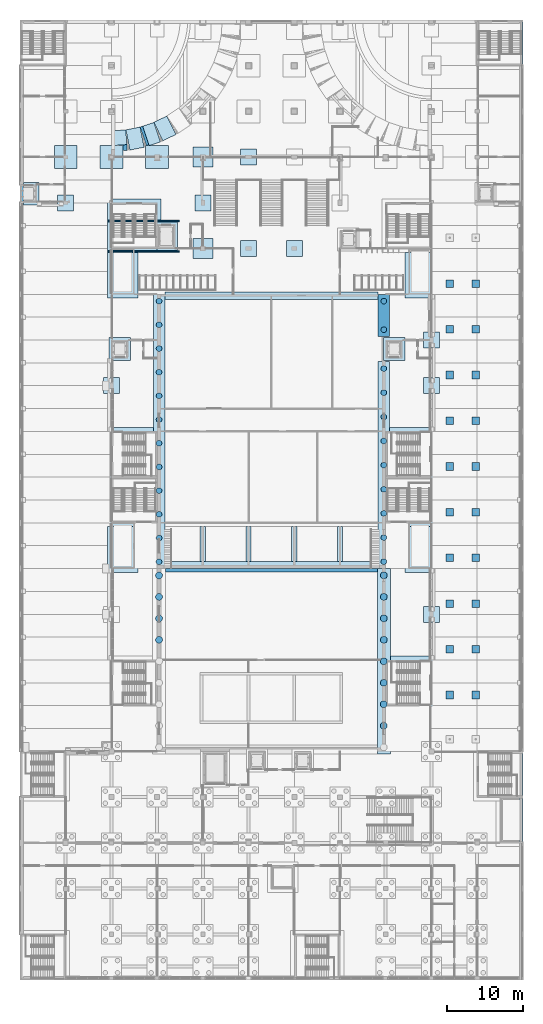
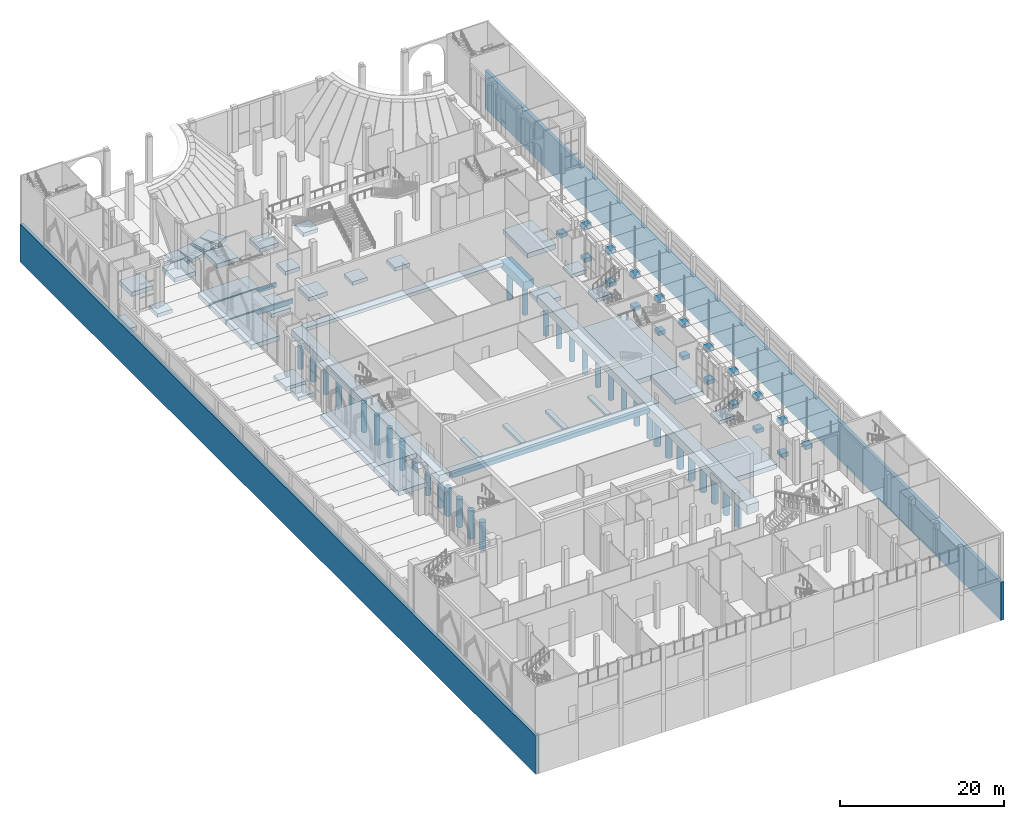
# One storey, part 4 of 95: 68 footings, 35 piles.
"""IFC4 building model written with IfcOpenShell, lengths in metres."""

from ifc_helpers import new_model, si_unit, direction, frame, origin, origin_2d, place, context, subcontext, project, spatial, polyline, rectangle, circle, outline, extrude, material, material_profile, profile_set, type_object, element, save


model = new_model("IFC4")

# Units and contexts
model_context = context("Model", 3, precision=1e-05, world=origin(), true_north=direction((0.0, 1.0)))
body_context = subcontext(model_context, "Body", "Model", "MODEL_VIEW")
ifc_project = project(units=[si_unit("LENGTHUNIT", "METRE"), si_unit("AREAUNIT", "SQUARE_METRE"), si_unit("VOLUMEUNIT", "CUBIC_METRE"), si_unit("PLANEANGLEUNIT", "RADIAN"), si_unit("MASSUNIT", "GRAM", prefix="KILO")], contexts=[model_context])

# Site, building, storey
site_placement = place(None, origin())
site = spatial("IfcSite", under=ifc_project, at=site_placement, CompositionType="ELEMENT")
building_placement = place(site_placement, origin())
building = spatial("IfcBuilding", under=site, at=building_placement, Name="Saffron Lane Theatres", CompositionType="ELEMENT")
storey_placement = place(building_placement, origin())
storey = spatial("IfcBuildingStorey", under=building, at=storey_placement, Name="L00", CompositionType="ELEMENT", Elevation=0.0)

# Footings
ifc_material_1 = material(Name="Concrete N40 (40 MPa)", Category="concrete")
footing_type_1 = type_object("IfcFootingType", Name="FT-CAP STRIP 1500x1200", PredefinedType="PILE_CAP", material=ifc_material_1)
footing_1_placement = place(storey_placement, frame((0.0, 0.0, -1.5)))
element("IfcFooting", 1, at=footing_1_placement, inside=storey, type_object=footing_type_1, Name="foot-cap-aud-W", PredefinedType="PILE_CAP", context=body_context, shape_type="SweptSolid", body=[
    extrude(outline(polyline([(17.5, 54.0), (19.0, 54.0), (19.0, 90.0), (17.5, 90.0), (17.5, 54.0)])), origin(), (0.0, 0.0, 1.0), 1.199951171875),
])
footing_2_placement = place(storey_placement, frame((0.0, 0.0, -1.5)))
element("IfcFooting", 2, at=footing_2_placement, inside=storey, type_object=footing_type_1, Name="foot-cap-aud-E-1", PredefinedType="PILE_CAP", context=body_context, shape_type="SweptSolid", body=[
    extrude(outline(polyline([(47.0, 54.0), (48.5, 54.0), (48.5, 81.14990234375), (47.0, 81.14990234375), (47.0, 54.0)])), origin(), (0.0, 0.0, 1.0), 1.199951171875),
])
footing_3_placement = place(storey_placement, frame((0.0, 0.0, -1.5)))
element("IfcFooting", 3, at=footing_3_placement, inside=storey, type_object=footing_type_1, Name="foot-cap-aud-E-2", PredefinedType="PILE_CAP", context=body_context, shape_type="SweptSolid", body=[
    extrude(outline(polyline([(47.0, 84.449951171875), (48.5, 84.449951171875), (48.5, 90.0), (47.0, 90.0), (47.0, 84.449951171875)])), origin(), (0.0, 0.0, 1.0), 1.199951171875),
])
ifc_material_2 = material(Name="Concrete N40 (40 MPa)", Category="concrete")
footing_type_2 = type_object("IfcFootingType", Name="FT-CAP STRIP 1700x1400", PredefinedType="PILE_CAP", material=ifc_material_2)
footing_4_placement = place(storey_placement, frame((0.0, 0.0, -1.699951171875)))
element("IfcFooting", 4, at=footing_4_placement, inside=storey, type_object=footing_type_2, Name="foot-cap-stage-E", PredefinedType="PILE_CAP", context=body_context, shape_type="SweptSolid", body=[
    extrude(outline(polyline([(46.89990234375, 29.64990234375), (48.60009765625, 29.64990234375), (48.60009765625, 54.0), (46.89990234375, 54.0), (46.89990234375, 29.64990234375)])), origin(), (0.0, 0.0, 1.0), 1.39990234375),
])
ifc_material_3 = material(Name="Concrete N40 (40 MPa)", Category="concrete")
footing_type_3 = type_object("IfcFootingType", Name="FT-PAD 2100x2100x550", PredefinedType="PAD_FOOTING", material=ifc_material_3)
footing_5_placement = place(storey_placement, frame((0.0, 0.0, -0.85009765625)))
element("IfcFooting", 5, at=footing_5_placement, inside=storey, type_object=footing_type_3, Name="foot-pad-K9", PredefinedType="PAD_FOOTING", context=body_context, shape_type="SweptSolid", body=[
    extrude(outline(polyline([(52.949951171875, 46.949951171875), (55.050048828125, 46.949951171875), (55.050048828125, 49.050048828125), (52.949951171875, 49.050048828125), (52.949951171875, 46.949951171875)])), origin(), (0.0, 0.0, 1.0), 0.550048828125),
])
footing_6_placement = place(storey_placement, frame((0.0, 0.0, -0.85009765625)))
element("IfcFooting", 6, at=footing_6_placement, inside=storey, type_object=footing_type_3, Name="foot-pad-C14", PredefinedType="PAD_FOOTING", context=body_context, shape_type="SweptSolid", body=[
    extrude(outline(polyline([(10.949951171875, 76.949951171875), (13.050048828125, 76.949951171875), (13.050048828125, 79.050048828125), (10.949951171875, 79.050048828125), (10.949951171875, 76.949951171875)])), origin(), (0.0, 0.0, 1.0), 0.550048828125),
])
footing_7_placement = place(storey_placement, frame((0.0, 0.0, -0.85009765625)))
element("IfcFooting", 7, at=footing_7_placement, inside=storey, type_object=footing_type_3, Name="foot-pad-K14", PredefinedType="PAD_FOOTING", context=body_context, shape_type="SweptSolid", body=[
    extrude(outline(polyline([(52.949951171875, 76.949951171875), (55.050048828125, 76.949951171875), (55.050048828125, 79.050048828125), (52.949951171875, 79.050048828125), (52.949951171875, 76.949951171875)])), origin(), (0.0, 0.0, 1.0), 0.550048828125),
])
footing_8_placement = place(storey_placement, frame((0.0, 0.0, -0.85009765625)))
element("IfcFooting", 8, at=footing_8_placement, inside=storey, type_object=footing_type_3, Name="foot-pad-K15", PredefinedType="PAD_FOOTING", context=body_context, shape_type="SweptSolid", body=[
    extrude(outline(polyline([(52.949951171875, 82.949951171875), (55.050048828125, 82.949951171875), (55.050048828125, 85.050048828125), (52.949951171875, 85.050048828125), (52.949951171875, 82.949951171875)])), origin(), (0.0, 0.0, 1.0), 0.550048828125),
])
footing_9_placement = place(storey_placement, frame((0.0, 0.0, -0.85009765625)))
element("IfcFooting", 9, at=footing_9_placement, inside=storey, type_object=footing_type_3, Name="foot-pad-F17", PredefinedType="PAD_FOOTING", context=body_context, shape_type="SweptSolid", body=[
    extrude(outline(polyline([(28.949951171875, 94.949951171875), (31.050048828125, 94.949951171875), (31.050048828125, 97.050048828125), (28.949951171875, 97.050048828125), (28.949951171875, 94.949951171875)])), origin(), (0.0, 0.0, 1.0), 0.550048828125),
])
footing_10_placement = place(storey_placement, frame((0.0, 0.0, -0.85009765625)))
element("IfcFooting", 10, at=footing_10_placement, inside=storey, type_object=footing_type_3, Name="foot-pad-G17", PredefinedType="PAD_FOOTING", context=body_context, shape_type="SweptSolid", body=[
    extrude(outline(polyline([(34.949951171875, 94.949951171875), (37.050048828125, 94.949951171875), (37.050048828125, 97.050048828125), (34.949951171875, 97.050048828125), (34.949951171875, 94.949951171875)])), origin(), (0.0, 0.0, 1.0), 0.550048828125),
])
footing_11_placement = place(storey_placement, frame((0.0, 0.0, -0.85009765625)))
element("IfcFooting", 11, at=footing_11_placement, inside=storey, type_object=footing_type_3, Name="foot-pad-B18", PredefinedType="PAD_FOOTING", context=body_context, shape_type="SweptSolid", body=[
    extrude(outline(polyline([(4.949951171875, 100.949951171875), (7.050048828125, 100.949951171875), (7.050048828125, 103.050048828125), (4.949951171875, 103.050048828125), (4.949951171875, 100.949951171875)])), origin(), (0.0, 0.0, 1.0), 0.550048828125),
])
footing_12_placement = place(storey_placement, frame((0.0, 0.0, -0.85009765625)))
element("IfcFooting", 12, at=footing_12_placement, inside=storey, type_object=footing_type_3, Name="foot-pad-E18", PredefinedType="PAD_FOOTING", context=body_context, shape_type="SweptSolid", body=[
    extrude(outline(polyline([(22.949951171875, 100.949951171875), (25.050048828125, 100.949951171875), (25.050048828125, 103.050048828125), (22.949951171875, 103.050048828125), (22.949951171875, 100.949951171875)])), origin(), (0.0, 0.0, 1.0), 0.550048828125),
])
footing_13_placement = place(storey_placement, frame((0.0, 0.0, -0.85009765625)))
element("IfcFooting", 13, at=footing_13_placement, inside=storey, type_object=footing_type_3, Name="foot-pad-F19", PredefinedType="PAD_FOOTING", context=body_context, shape_type="SweptSolid", body=[
    extrude(outline(polyline([(28.949951171875, 106.949951171875), (31.050048828125, 106.949951171875), (31.050048828125, 109.050048828125), (28.949951171875, 109.050048828125), (28.949951171875, 106.949951171875)])), origin(), (0.0, 0.0, 1.0), 0.550048828125),
])
ifc_material_4 = material(Name="Concrete N40 (40 MPa)", Category="concrete")
footing_type_4 = type_object("IfcFootingType", Name="FT-PAD 2600x2600x600", PredefinedType="PAD_FOOTING", material=ifc_material_4)
footing_14_placement = place(storey_placement, frame((0.0, 0.0, -0.89990234375)))
element("IfcFooting", 14, at=footing_14_placement, inside=storey, type_object=footing_type_4, Name="foot-pad-E17", PredefinedType="PAD_FOOTING", context=body_context, shape_type="SweptSolid", body=[
    extrude(outline(polyline([(22.699951171875, 94.699951171875), (25.300048828125, 94.699951171875), (25.300048828125, 97.300048828125), (22.699951171875, 97.300048828125), (22.699951171875, 94.699951171875)])), origin(), (0.0, 0.0, 1.0), 0.599853515625),
])
footing_15_placement = place(storey_placement, frame((0.0, 0.0, -0.89990234375)))
element("IfcFooting", 15, at=footing_15_placement, inside=storey, type_object=footing_type_4, Name="foot-pad-E19", PredefinedType="PAD_FOOTING", context=body_context, shape_type="SweptSolid", body=[
    extrude(outline(polyline([(22.699951171875, 106.699951171875), (25.300048828125, 106.699951171875), (25.300048828125, 109.300048828125), (22.699951171875, 109.300048828125), (22.699951171875, 106.699951171875)])), origin(), (0.0, 0.0, 1.0), 0.599853515625),
])
ifc_material_5 = material(Name="Concrete N40 (40 MPa)", Category="concrete")
footing_type_5 = type_object("IfcFootingType", Name="FT-PAD 3000x3000x650", PredefinedType="PAD_FOOTING", material=ifc_material_5)
footing_16_placement = place(storey_placement, frame((0.0, 0.0, -0.949951171875)))
element("IfcFooting", 16, at=footing_16_placement, inside=storey, type_object=footing_type_5, Name="foot-pad-B19", PredefinedType="PAD_FOOTING", context=body_context, shape_type="SweptSolid", body=[
    extrude(outline(polyline([(4.5, 106.5), (7.5, 106.5), (7.5, 109.5), (4.5, 109.5), (4.5, 106.5)])), origin(), (0.0, 0.0, 1.0), 0.64990234375),
])
footing_17_placement = place(storey_placement, frame((0.0, 0.0, -0.949951171875)))
element("IfcFooting", 17, at=footing_17_placement, inside=storey, type_object=footing_type_5, Name="foot-pad-C19", PredefinedType="PAD_FOOTING", context=body_context, shape_type="SweptSolid", body=[
    extrude(outline(polyline([(10.5, 106.5), (13.5, 106.5), (13.5, 109.5), (10.5, 109.5), (10.5, 106.5)])), origin(), (0.0, 0.0, 1.0), 0.64990234375),
])
footing_18_placement = place(storey_placement, frame((0.0, 0.0, -0.949951171875)))
element("IfcFooting", 18, at=footing_18_placement, inside=storey, type_object=footing_type_5, Name="foot-pad-D19", PredefinedType="PAD_FOOTING", context=body_context, shape_type="SweptSolid", body=[
    extrude(outline(polyline([(16.5, 106.5), (19.5, 106.5), (19.5, 109.5), (16.5, 109.5), (16.5, 106.5)])), origin(), (0.0, 0.0, 1.0), 0.64990234375),
])

# Piles
ifc_material_6 = material(Name="Concrete N40 (40 MPa)", Category="concrete")
ifc_material_profile_1 = material_profile(ifc_material_6, circle(Radius=0.375, at=origin_2d()))
ifc_profile_set_1 = profile_set([ifc_material_profile_1], Name="Concrete N40 (40 MPa)")
pile_type_1 = type_object("IfcPileType", Name="FT-PILE BORED 750", PredefinedType="BORED", material=ifc_profile_set_1)
for number, where, z_axis, x_axis, name in (
    (19, (18.25, 54.89990234375, -1.39990234375), (0.0, 0.0, -1.0), (1.0, 0.0, 0.0), "pile-foot-cap-aud-W-1"),
    (20, (18.25, 58.009033203125, -1.39990234375), (0.0, 0.0, -1.0), (1.0, 0.0, 0.0), "pile-foot-cap-aud-W-2"),
    (21, (18.25, 61.1181640625, -1.39990234375), (0.0, 0.0, -1.0), (1.0, 0.0, 0.0), "pile-foot-cap-aud-W-3"),
    (22, (18.25, 64.227294921875, -1.39990234375), (0.0, 0.0, -1.0), (1.0, 0.0, 0.0), "pile-foot-cap-aud-W-4"),
    (23, (18.25, 67.33642578125, -1.39990234375), (0.0, 0.0, -1.0), (1.0, 0.0, 0.0), "pile-foot-cap-aud-W-5"),
    (24, (18.25, 70.445556640625, -1.39990234375), (0.0, 0.0, -1.0), (1.0, 0.0, 0.0), "pile-foot-cap-aud-W-6"),
    (25, (18.25, 73.554443359375, -1.39990234375), (0.0, 0.0, -1.0), (1.0, 0.0, 0.0), "pile-foot-cap-aud-W-7"),
    (26, (18.25, 76.66357421875, -1.39990234375), (0.0, 0.0, -1.0), (1.0, 0.0, 0.0), "pile-foot-cap-aud-W-8"),
    (27, (18.25, 79.772705078125, -1.39990234375), (0.0, 0.0, -1.0), (1.0, 0.0, 0.0), "pile-foot-cap-aud-W-9"),
    (28, (18.25, 82.8818359375, -1.39990234375), (0.0, 0.0, -1.0), (1.0, 0.0, 0.0), "pile-foot-cap-aud-W-10"),
    (29, (18.25, 85.990966796875, -1.39990234375), (0.0, 0.0, -1.0), (1.0, 0.0, 0.0), "pile-foot-cap-aud-W-11"),
    (30, (18.25, 89.10009765625, -1.39990234375), (0.0, 0.0, -1.0), (1.0, 0.0, 0.0), "pile-foot-cap-aud-W-12"),
    (31, (47.75, 54.89990234375, -1.39990234375), (0.0, 0.0, -1.0), (1.0, 0.0, 0.0), "pile-foot-cap-aud-E-1-1"),
    (32, (47.75, 58.068603515625, -1.39990234375), (0.0, 0.0, -1.0), (1.0, 0.0, 0.0), "pile-foot-cap-aud-E-1-2"),
    (33, (47.75, 61.237548828125, -1.39990234375), (0.0, 0.0, -1.0), (1.0, 0.0, 0.0), "pile-foot-cap-aud-E-1-3"),
    (34, (47.75, 64.40625, -1.39990234375), (0.0, 0.0, -1.0), (1.0, 0.0, 0.0), "pile-foot-cap-aud-E-1-4"),
    (35, (47.75, 67.574951171875, -1.39990234375), (0.0, 0.0, -1.0), (1.0, 0.0, 0.0), "pile-foot-cap-aud-E-1-5"),
    (36, (47.75, 70.74365234375, -1.39990234375), (0.0, 0.0, -1.0), (1.0, 0.0, 0.0), "pile-foot-cap-aud-E-1-6"),
    (37, (47.75, 73.91259765625, -1.39990234375), (0.0, 0.0, -1.0), (1.0, 0.0, 0.0), "pile-foot-cap-aud-E-1-7"),
    (38, (47.75, 77.081298828125, -1.39990234375), (0.0, 0.0, -1.0), (1.0, 0.0, 0.0), "pile-foot-cap-aud-E-1-8"),
    (39, (47.75, 80.25, -1.39990234375), (0.0, 0.0, -1.0), (1.0, 0.0, 0.0), "pile-foot-cap-aud-E-1-9"),
    (40, (47.75, 85.35009765625, -1.39990234375), (0.0, 0.0, -1.0), (1.0, 0.0, 0.0), "pile-foot-cap-aud-E-2-1"),
    (41, (47.75, 89.10009765625, -1.39990234375), (0.0, 0.0, -1.0), (1.0, 0.0, 0.0), "pile-foot-cap-aud-E-2-2"),
):
    element("IfcPile", number, at=place(storey_placement, frame(where, z_axis=z_axis, x_axis=x_axis)), inside=storey, type_object=pile_type_1, Name=name, PredefinedType="BORED", context=body_context, shape_type="SweptSolid", body=[
        extrude(circle(Radius=0.375, at=origin_2d()), origin(), (0.0, 0.0, 1.0), 4.39990234375),
    ])
ifc_material_7 = material(Name="Concrete N40 (40 MPa)", Category="concrete")
ifc_material_profile_2 = material_profile(ifc_material_7, circle(Radius=0.449951171875, at=origin_2d()))
ifc_profile_set_2 = profile_set([ifc_material_profile_2], Name="Concrete N40 (40 MPa)")
pile_type_2 = type_object("IfcPileType", Name="FT-PILE BORED 900", PredefinedType="BORED", material=ifc_profile_set_2)
for number, where, z_axis, x_axis, name in (
    (42, (18.25, 44.643798828125, -1.60009765625), (0.0, 0.0, -1.0), (1.0, 0.0, 0.0), "pile-foot-cap-stage-W-6"),
    (43, (18.25, 47.46240234375, -1.60009765625), (0.0, 0.0, -1.0), (1.0, 0.0, 0.0), "pile-foot-cap-stage-W-7"),
    (44, (18.25, 50.28125, -1.60009765625), (0.0, 0.0, -1.0), (1.0, 0.0, 0.0), "pile-foot-cap-stage-W-8"),
    (45, (18.25, 53.10009765625, -1.60009765625), (0.0, 0.0, -1.0), (1.0, 0.0, 0.0), "pile-foot-cap-stage-W-9"),
    (46, (47.75, 33.36865234375, -1.60009765625), (0.0, 0.0, -1.0), (1.0, 0.0, 0.0), "pile-foot-cap-stage-E-2"),
    (47, (47.75, 36.1875, -1.60009765625), (0.0, 0.0, -1.0), (1.0, 0.0, 0.0), "pile-foot-cap-stage-E-3"),
    (48, (47.75, 39.006103515625, -1.60009765625), (0.0, 0.0, -1.0), (1.0, 0.0, 0.0), "pile-foot-cap-stage-E-4"),
    (49, (47.75, 41.824951171875, -1.60009765625), (0.0, 0.0, -1.0), (1.0, 0.0, 0.0), "pile-foot-cap-stage-E-5"),
    (50, (47.75, 44.643798828125, -1.60009765625), (0.0, 0.0, -1.0), (1.0, 0.0, 0.0), "pile-foot-cap-stage-E-6"),
    (51, (47.75, 47.46240234375, -1.60009765625), (0.0, 0.0, -1.0), (1.0, 0.0, 0.0), "pile-foot-cap-stage-E-7"),
    (52, (47.75, 50.28125, -1.60009765625), (0.0, 0.0, -1.0), (1.0, 0.0, 0.0), "pile-foot-cap-stage-E-8"),
    (53, (47.75, 53.10009765625, -1.60009765625), (0.0, 0.0, -1.0), (1.0, 0.0, 0.0), "pile-foot-cap-stage-E-9"),
):
    element("IfcPile", number, at=place(storey_placement, frame(where, z_axis=z_axis, x_axis=x_axis)), inside=storey, type_object=pile_type_2, Name=name, PredefinedType="BORED", context=body_context, shape_type="SweptSolid", body=[
        extrude(circle(Radius=0.449951171875, at=origin_2d()), origin(), (0.0, 0.0, 1.0), 4.199951171875),
    ])

# Footings
ifc_material_8 = material(Name="Concrete N40 (40 MPa)", Category="concrete")
footing_type_6 = type_object("IfcFootingType", Name="FT-RAFT CORE 700", PredefinedType="PAD_FOOTING", material=ifc_material_8)
footing_19_placement = place(storey_placement, frame((0.0, 0.0, -1.0)))
element("IfcFooting", 54, at=footing_19_placement, inside=storey, type_object=footing_type_6, Name="foot-raft-8", PredefinedType="PAD_FOOTING", context=body_context, shape_type="SweptSolid", body=[
    extrude(outline(polyline([(48.60009765625, 35.5), (54.5, 35.5), (54.5, 42.5), (48.60009765625, 42.5), (48.60009765625, 35.5)])), origin(), (0.0, 0.0, 1.0), 0.699951171875),
])
footing_20_placement = place(storey_placement, frame((0.0, 0.0, -1.0)))
element("IfcFooting", 55, at=footing_20_placement, inside=storey, type_object=footing_type_6, Name="foot-raft-9", PredefinedType="PAD_FOOTING", context=body_context, shape_type="SweptSolid", body=[
    extrude(outline(polyline([(11.5, 53.5), (15.5, 53.5), (15.5, 59.5), (11.5, 59.5), (11.5, 53.5)])), origin(), (0.0, 0.0, 1.0), 0.699951171875),
])
footing_21_placement = place(storey_placement, frame((0.0, 0.0, -1.0)))
element("IfcFooting", 56, at=footing_21_placement, inside=storey, type_object=footing_type_6, Name="foot-raft-10", PredefinedType="PAD_FOOTING", context=body_context, shape_type="SweptSolid", body=[
    extrude(outline(polyline([(11.5, 59.5), (17.5, 59.5), (17.5, 72.5), (11.5, 72.5), (11.5, 59.5)])), origin(), (0.0, 0.0, 1.0), 0.699951171875),
])
footing_22_placement = place(storey_placement, frame((0.0, 0.0, -1.0)))
element("IfcFooting", 57, at=footing_22_placement, inside=storey, type_object=footing_type_6, Name="foot-raft-11", PredefinedType="PAD_FOOTING", context=body_context, shape_type="SweptSolid", body=[
    extrude(outline(polyline([(50.5, 53.5), (54.5, 53.5), (54.5, 59.5), (50.5, 59.5), (50.5, 53.5)])), origin(), (0.0, 0.0, 1.0), 0.699951171875),
])
footing_23_placement = place(storey_placement, frame((0.0, 0.0, -1.0)))
element("IfcFooting", 58, at=footing_23_placement, inside=storey, type_object=footing_type_6, Name="foot-raft-12", PredefinedType="PAD_FOOTING", context=body_context, shape_type="SweptSolid", body=[
    extrude(outline(polyline([(48.5, 59.5), (54.5, 59.5), (54.5, 72.5), (48.5, 72.5), (48.5, 59.5)])), origin(), (0.0, 0.0, 1.0), 0.699951171875),
])
footing_24_placement = place(storey_placement, frame((0.0, 0.0, -1.0)))
element("IfcFooting", 59, at=footing_24_placement, inside=storey, type_object=footing_type_6, Name="foot-raft-13", PredefinedType="PAD_FOOTING", context=body_context, shape_type="SweptSolid", body=[
    extrude(outline(polyline([(11.5, 89.5), (15.5, 89.5), (15.5, 95.5), (11.5, 95.5), (11.5, 89.5)])), origin(), (0.0, 0.0, 1.0), 0.699951171875),
])
footing_25_placement = place(storey_placement, frame((0.0, 0.0, -1.0)))
element("IfcFooting", 60, at=footing_25_placement, inside=storey, type_object=footing_type_6, Name="foot-raft-14", PredefinedType="PAD_FOOTING", context=body_context, shape_type="SweptSolid", body=[
    extrude(outline(polyline([(11.5, 95.5), (20.89990234375, 95.5), (20.89990234375, 95.699951171875), (11.5, 95.699951171875), (11.5, 95.5)])), origin(), (0.0, 0.0, 1.0), 0.699951171875),
])
footing_26_placement = place(storey_placement, frame((0.0, 0.0, -1.0)))
element("IfcFooting", 61, at=footing_26_placement, inside=storey, type_object=footing_type_6, Name="foot-raft-15", PredefinedType="PAD_FOOTING", context=body_context, shape_type="SweptSolid", body=[
    extrude(outline(polyline([(11.5, 95.699951171875), (18.0, 95.699951171875), (18.0, 99.5), (11.5, 99.5), (11.5, 95.699951171875)])), origin(), (0.0, 0.0, 1.0), 0.699951171875),
])
footing_27_placement = place(storey_placement, frame((0.0, 0.0, -1.0)))
element("IfcFooting", 62, at=footing_27_placement, inside=storey, type_object=footing_type_6, Name="foot-raft-16", PredefinedType="PAD_FOOTING", context=body_context, shape_type="SweptSolid", body=[
    extrude(outline(polyline([(11.5, 99.5), (20.89990234375, 99.5), (20.89990234375, 99.699951171875), (11.5, 99.699951171875), (11.5, 99.5)])), origin(), (0.0, 0.0, 1.0), 0.699951171875),
])
footing_28_placement = place(storey_placement, frame((0.0, 0.0, -1.0)))
element("IfcFooting", 63, at=footing_28_placement, inside=storey, type_object=footing_type_6, Name="foot-raft-17", PredefinedType="PAD_FOOTING", context=body_context, shape_type="SweptSolid", body=[
    extrude(outline(polyline([(11.5, 99.699951171875), (18.5, 99.699951171875), (18.5, 102.5), (11.5, 102.5), (11.5, 99.699951171875)])), origin(), (0.0, 0.0, 1.0), 0.699951171875),
])
footing_29_placement = place(storey_placement, frame((0.0, 0.0, -1.0)))
element("IfcFooting", 64, at=footing_29_placement, inside=storey, type_object=footing_type_6, Name="foot-raft-18", PredefinedType="PAD_FOOTING", context=body_context, shape_type="SweptSolid", body=[
    extrude(outline(polyline([(50.5, 89.5), (54.5, 89.5), (54.5, 95.5), (50.5, 95.5), (50.5, 89.5)])), origin(), (0.0, 0.0, 1.0), 0.699951171875),
])
ifc_material_9 = material(Name="Concrete N40 (40 MPa)", Category="concrete")
footing_type_7 = type_object("IfcFootingType", Name="FT-RAFT PIT 600", PredefinedType="PAD_FOOTING", material=ifc_material_9)
footing_30_placement = place(storey_placement, frame((0.0, 0.0, -2.300048828125)))
element("IfcFooting", 65, at=footing_30_placement, inside=storey, type_object=footing_type_7, Name="foot-pit-LC1", PredefinedType="PAD_FOOTING", context=body_context, shape_type="SweptSolid", body=[
    extrude(outline(polyline([(20.699951171875, 95.699951171875), (20.699951171875, 99.5), (18.0, 99.5), (18.0, 95.699951171875), (20.699951171875, 95.699951171875)])), origin(), (0.0, 0.0, 1.0), 0.60009765625),
])
footing_31_placement = place(storey_placement, frame((0.0, 0.0, -2.300048828125)))
element("IfcFooting", 66, at=footing_31_placement, inside=storey, type_object=footing_type_7, Name="foot-pit-LC3", PredefinedType="PAD_FOOTING", context=body_context, shape_type="SweptSolid", body=[
    extrude(outline(polyline([(11.699951171875, 84.300048828125), (11.699951171875, 81.300048828125), (14.5, 81.300048828125), (14.5, 84.300048828125), (11.699951171875, 84.300048828125)])), origin(), (0.0, 0.0, 1.0), 0.60009765625),
])
footing_32_placement = place(storey_placement, frame((0.0, 0.0, -2.300048828125)))
element("IfcFooting", 67, at=footing_32_placement, inside=storey, type_object=footing_type_7, Name="foot-pit-LC4", PredefinedType="PAD_FOOTING", context=body_context, shape_type="SweptSolid", body=[
    extrude(outline(polyline([(47.699951171875, 84.300048828125), (47.699951171875, 81.300048828125), (50.5, 81.300048828125), (50.5, 84.300048828125), (47.699951171875, 84.300048828125)])), origin(), (0.0, 0.0, 1.0), 0.60009765625),
])
footing_33_placement = place(storey_placement, frame((0.0, 0.0, -2.300048828125)))
element("IfcFooting", 68, at=footing_33_placement, inside=storey, type_object=footing_type_7, Name="foot-pit-LC7", PredefinedType="PAD_FOOTING", context=body_context, shape_type="SweptSolid", body=[
    extrude(outline(polyline([(2.5, 101.699951171875), (2.5, 104.699951171875), (0.450439453125, 104.699951171875), (0.450439453125, 101.699951171875), (2.5, 101.699951171875)])), origin(), (0.0, 0.0, 1.0), 0.60009765625),
])
ifc_material_10 = material(Name="Concrete N40 (40 MPa)", Category="concrete")
footing_type_8 = type_object("IfcFootingType", Name="FT-STRIP 1000x500", PredefinedType="STRIP_FOOTING", material=ifc_material_10)
footing_34_placement = place(storey_placement, frame((0.0, 0.0, -0.800048828125)))
element("IfcFooting", 69, at=footing_34_placement, inside=storey, type_object=footing_type_8, Name="foot-strip-rear", PredefinedType="STRIP_FOOTING", context=body_context, shape_type="SweptSolid", body=[
    extrude(outline(polyline([(19.0, 89.300048828125), (47.0, 89.300048828125), (47.0, 90.300048828125), (19.0, 90.300048828125), (19.0, 89.300048828125)])), origin(), (0.0, 0.0, 1.0), 0.5),
])
ifc_material_11 = material(Name="Concrete N40 (40 MPa)", Category="concrete")
footing_type_9 = type_object("IfcFootingType", Name="FT-STRIP 1400x700", PredefinedType="STRIP_FOOTING", material=ifc_material_11)
footing_35_placement = place(storey_placement, frame((0.0, 0.0, -1.0)))
element("IfcFooting", 70, at=footing_35_placement, inside=storey, type_object=footing_type_9, Name="foot-strip-prosc-1", PredefinedType="STRIP_FOOTING", context=body_context, shape_type="SweptSolid", body=[
    extrude(outline(polyline([(19.10009765625, 53.550048828125), (46.89990234375, 53.550048828125), (46.89990234375, 54.0), (19.10009765625, 54.0), (19.10009765625, 53.550048828125)])), origin(), (0.0, 0.0, 1.0), 0.699951171875),
])
footing_36_placement = place(storey_placement, frame((0.0, 0.0, -1.0)))
element("IfcFooting", 71, at=footing_36_placement, inside=storey, type_object=footing_type_9, Name="foot-strip-prosc-2", PredefinedType="STRIP_FOOTING", context=body_context, shape_type="SweptSolid", body=[
    extrude(outline(polyline([(19.0, 54.0), (47.0, 54.0), (47.0, 54.949951171875), (19.0, 54.949951171875), (19.0, 54.0)])), origin(), (0.0, 0.0, 1.0), 0.699951171875),
])
ifc_material_12 = material(Name="Concrete N40 (40 MPa)", Category="concrete")
footing_type_10 = type_object("IfcFootingType", Name="FT-STRIP 2700x500", PredefinedType="STRIP_FOOTING", material=ifc_material_12)
footing_37_placement = place(storey_placement, frame((19.01708984375, 111.7705078125, -0.800048828125), z_axis=(0.0, 0.0, 1.0), x_axis=(-0.442259871566, 0.896886952744, 0.0)))
element("IfcFooting", 72, at=footing_37_placement, inside=storey, type_object=footing_type_10, Name="foot-strip-scoop-NW-9", PredefinedType="STRIP_FOOTING", context=body_context, shape_type="SweptSolid", body=[
    extrude(rectangle(XDim=2.699951171875, YDim=1.89208984375, at=origin_2d()), origin(), (0.0, 0.0, 1.0), 0.5),
])
footing_38_placement = place(storey_placement, frame((17.2607421875, 111.031005859375, -0.800048828125), z_axis=(0.0, 0.0, 1.0), x_axis=(-0.321445209471, 0.946928179593, 0.0)))
element("IfcFooting", 73, at=footing_38_placement, inside=storey, type_object=footing_type_10, Name="foot-strip-scoop-NW-10-1", PredefinedType="STRIP_FOOTING", context=body_context, shape_type="SweptSolid", body=[
    extrude(rectangle(XDim=2.699951171875, YDim=1.55224609375, at=origin_2d()), origin(), (0.0, 0.0, 1.0), 0.5),
])
footing_39_placement = place(storey_placement, frame((16.344970703125, 110.783447265625, -0.800048828125), z_axis=(0.0, 0.0, 1.0), x_axis=(-0.321432271136, 0.946932571555, 0.0)))
element("IfcFooting", 74, at=footing_39_placement, inside=storey, type_object=footing_type_10, Name="foot-strip-scoop-NW-10-2", PredefinedType="STRIP_FOOTING", context=body_context, shape_type="SweptSolid", body=[
    extrude(rectangle(XDim=2.580078125, YDim=0.339111328125, at=origin_2d()), origin(), (0.0, 0.0, 1.0), 0.5),
])
footing_40_placement = place(storey_placement, frame((15.09521484375, 110.439208984375, -0.800048828125), z_axis=(0.0, 0.0, 1.0), x_axis=(-0.19511175547, 0.980781016781, 0.0)))
element("IfcFooting", 75, at=footing_40_placement, inside=storey, type_object=footing_type_10, Name="foot-strip-scoop-NW-11", PredefinedType="STRIP_FOOTING", context=body_context, shape_type="SweptSolid", body=[
    extrude(rectangle(XDim=2.699951171875, YDim=1.89208984375, at=origin_2d()), origin(), (0.0, 0.0, 1.0), 0.5),
])
footing_41_placement = place(storey_placement, frame((13.0126953125, 110.547607421875, -0.800048828125), z_axis=(0.0, 0.0, 1.0), x_axis=(-0.065410525249, 0.99785843845, 0.0)))
element("IfcFooting", 76, at=footing_41_placement, inside=storey, type_object=footing_type_10, Name="foot-strip-scoop-NW-12-1", PredefinedType="STRIP_FOOTING", context=body_context, shape_type="SweptSolid", body=[
    extrude(rectangle(XDim=1.93994140625, YDim=1.89208984375, at=origin_2d()), origin(), (0.0, 0.0, 1.0), 0.5),
])
footing_42_placement = place(storey_placement, frame((13.78955078125, 109.2451171875, -0.800048828125), z_axis=(0.0, 0.0, 1.0), x_axis=(-0.065404560331, 0.997858829438, 0.0)))
element("IfcFooting", 77, at=footing_42_placement, inside=storey, type_object=footing_type_10, Name="foot-strip-scoop-NW-12-2", PredefinedType="STRIP_FOOTING", context=body_context, shape_type="SweptSolid", body=[
    extrude(rectangle(XDim=0.759033203125, YDim=0.51220703125, at=origin_2d()), origin(), (0.0, 0.0, 1.0), 0.5),
])
ifc_material_13 = material(Name="Concrete N40 (40 MPa)", Category="concrete")
footing_type_11 = type_object("IfcFootingType", Name="FT-STRIP 700x400", PredefinedType="STRIP_FOOTING", material=ifc_material_13)
footing_43_placement = place(storey_placement, frame((0.0, 0.0, -0.699951171875)))
element("IfcFooting", 78, at=footing_43_placement, inside=storey, type_object=footing_type_11, Name="foot-strip-pit-24", PredefinedType="STRIP_FOOTING", context=body_context, shape_type="SweptSolid", body=[
    extrude(outline(polyline([(23.64990234375, 54.949951171875), (24.35009765625, 54.949951171875), (24.35009765625, 59.550048828125), (23.64990234375, 59.550048828125), (23.64990234375, 54.949951171875)])), origin(), (0.0, 0.0, 1.0), 0.39990234375),
])
footing_44_placement = place(storey_placement, frame((0.0, 0.0, -0.699951171875)))
element("IfcFooting", 79, at=footing_44_placement, inside=storey, type_object=footing_type_11, Name="foot-strip-pit-30", PredefinedType="STRIP_FOOTING", context=body_context, shape_type="SweptSolid", body=[
    extrude(outline(polyline([(29.64990234375, 54.949951171875), (30.35009765625, 54.949951171875), (30.35009765625, 59.550048828125), (29.64990234375, 59.550048828125), (29.64990234375, 54.949951171875)])), origin(), (0.0, 0.0, 1.0), 0.39990234375),
])
footing_45_placement = place(storey_placement, frame((0.0, 0.0, -0.699951171875)))
element("IfcFooting", 80, at=footing_45_placement, inside=storey, type_object=footing_type_11, Name="foot-strip-pit-36", PredefinedType="STRIP_FOOTING", context=body_context, shape_type="SweptSolid", body=[
    extrude(outline(polyline([(35.64990234375, 54.949951171875), (36.35009765625, 54.949951171875), (36.35009765625, 59.550048828125), (35.64990234375, 59.550048828125), (35.64990234375, 54.949951171875)])), origin(), (0.0, 0.0, 1.0), 0.39990234375),
])
footing_46_placement = place(storey_placement, frame((0.0, 0.0, -0.699951171875)))
element("IfcFooting", 81, at=footing_46_placement, inside=storey, type_object=footing_type_11, Name="foot-strip-pit-42", PredefinedType="STRIP_FOOTING", context=body_context, shape_type="SweptSolid", body=[
    extrude(outline(polyline([(41.64990234375, 54.949951171875), (42.35009765625, 54.949951171875), (42.35009765625, 59.550048828125), (41.64990234375, 59.550048828125), (41.64990234375, 54.949951171875)])), origin(), (0.0, 0.0, 1.0), 0.39990234375),
])
ifc_material_14 = material(Name="Concrete N40 (40 MPa)", Category="concrete")
footing_type_12 = type_object("IfcFootingType", Name="FT-WALL PERIMETER 450", PredefinedType="STRIP_FOOTING", material=ifc_material_14)
footing_47_placement = place(storey_placement, frame((0.0, 0.0, -6.0)))
element("IfcFooting", 82, at=footing_47_placement, inside=storey, type_object=footing_type_12, Name="Perimeter foundation wall", PredefinedType="STRIP_FOOTING", context=body_context, shape_type="SweptSolid", body=[
    extrude(outline(polyline([(0.450439453125, 125.945068359375), (0.00048828125, 125.945068359375), (0.00048828125, 0.054931640625), (0.450439453125, 0.054931640625), (0.450439453125, 125.945068359375)])), origin(), (0.0, 0.0, 1.0), 5.699951171875),
])
footing_48_placement = place(storey_placement, frame((0.0, 0.0, -6.0)))
element("IfcFooting", 83, at=footing_48_placement, inside=storey, type_object=footing_type_12, Name="Perimeter foundation wall", PredefinedType="STRIP_FOOTING", context=body_context, shape_type="SweptSolid", body=[
    extrude(outline(polyline([(65.99951171875, 0.00048828125), (65.99951171875, 125.945068359375), (65.549560546875, 125.945068359375), (65.549560546875, 0.00048828125), (65.99951171875, 0.00048828125)])), origin(), (0.0, 0.0, 1.0), 5.699951171875),
])
ifc_material_15 = material(Name="Concrete N40 (40 MPa)", Category="concrete")
footing_type_13 = type_object("IfcFootingType", Name="ST-CANOPY PAD", PredefinedType="PAD_FOOTING", material=ifc_material_15)
for number, where, z_axis, x_axis, name in (
    (84, (56.39990234375, 37.39990234375, -0.800048828125), (0.0, 0.0, 1.0), (1.0, 0.0, 0.0), "CFW2"),
    (85, (59.800048828125, 37.39990234375, -0.800048828125), (0.0, 0.0, 1.0), (1.0, 0.0, 0.0), "CFE2"),
    (86, (56.39990234375, 43.39990234375, -0.800048828125), (0.0, 0.0, 1.0), (1.0, 0.0, 0.0), "CFW3"),
    (87, (59.800048828125, 43.39990234375, -0.800048828125), (0.0, 0.0, 1.0), (1.0, 0.0, 0.0), "CFE3"),
    (88, (56.39990234375, 49.39990234375, -0.800048828125), (0.0, 0.0, 1.0), (1.0, 0.0, 0.0), "CFW4"),
    (89, (59.800048828125, 49.39990234375, -0.800048828125), (0.0, 0.0, 1.0), (1.0, 0.0, 0.0), "CFE4"),
    (90, (56.39990234375, 55.39990234375, -0.800048828125), (0.0, 0.0, 1.0), (1.0, 0.0, 0.0), "CFW5"),
    (91, (59.800048828125, 55.39990234375, -0.800048828125), (0.0, 0.0, 1.0), (1.0, 0.0, 0.0), "CFE5"),
    (92, (56.39990234375, 61.39990234375, -0.800048828125), (0.0, 0.0, 1.0), (1.0, 0.0, 0.0), "CFW6"),
    (93, (59.800048828125, 61.39990234375, -0.800048828125), (0.0, 0.0, 1.0), (1.0, 0.0, 0.0), "CFE6"),
    (94, (56.39990234375, 67.39990234375, -0.800048828125), (0.0, 0.0, 1.0), (1.0, 0.0, 0.0), "CFW7"),
    (95, (59.800048828125, 67.39990234375, -0.800048828125), (0.0, 0.0, 1.0), (1.0, 0.0, 0.0), "CFE7"),
    (96, (56.39990234375, 73.39990234375, -0.800048828125), (0.0, 0.0, 1.0), (1.0, 0.0, 0.0), "CFW8"),
    (97, (59.800048828125, 73.39990234375, -0.800048828125), (0.0, 0.0, 1.0), (1.0, 0.0, 0.0), "CFE8"),
    (98, (56.39990234375, 79.39990234375, -0.800048828125), (0.0, 0.0, 1.0), (1.0, 0.0, 0.0), "CFW9"),
    (99, (59.800048828125, 79.39990234375, -0.800048828125), (0.0, 0.0, 1.0), (1.0, 0.0, 0.0), "CFE9"),
    (100, (56.39990234375, 85.39990234375, -0.800048828125), (0.0, 0.0, 1.0), (1.0, 0.0, 0.0), "CFW10"),
    (101, (59.800048828125, 85.39990234375, -0.800048828125), (0.0, 0.0, 1.0), (1.0, 0.0, 0.0), "CFE10"),
    (102, (56.39990234375, 91.39990234375, -0.800048828125), (0.0, 0.0, 1.0), (1.0, 0.0, 0.0), "CFW11"),
    (103, (59.800048828125, 91.39990234375, -0.800048828125), (0.0, 0.0, 1.0), (1.0, 0.0, 0.0), "CFE11"),
):
    element("IfcFooting", number, at=place(storey_placement, frame(where, z_axis=z_axis, x_axis=x_axis)), inside=storey, type_object=footing_type_13, Name=name, PredefinedType="PAD_FOOTING", context=body_context, shape_type="SweptSolid", body=[
        extrude(rectangle(XDim=1.0, YDim=1.0, at=origin_2d()), origin(), (0.0, 0.0, 1.0), 0.60009765625),
    ])

save(model, "model.ifc")
